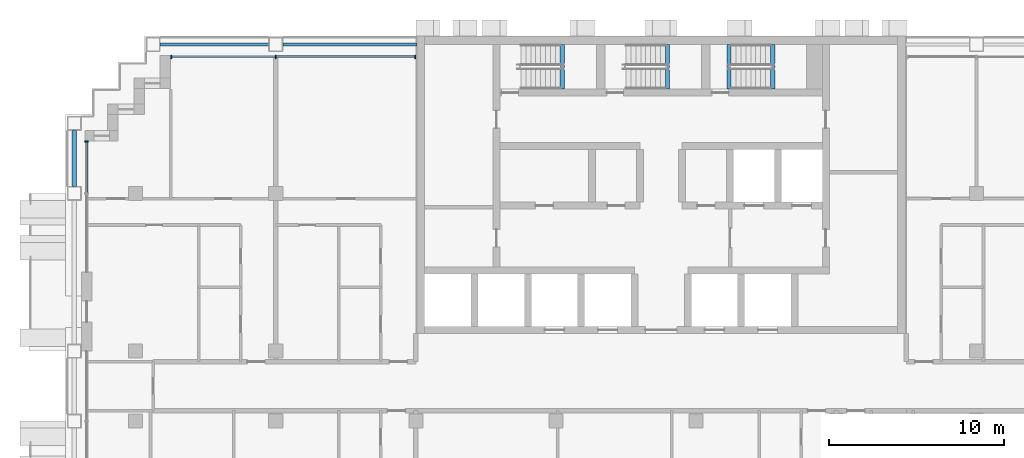
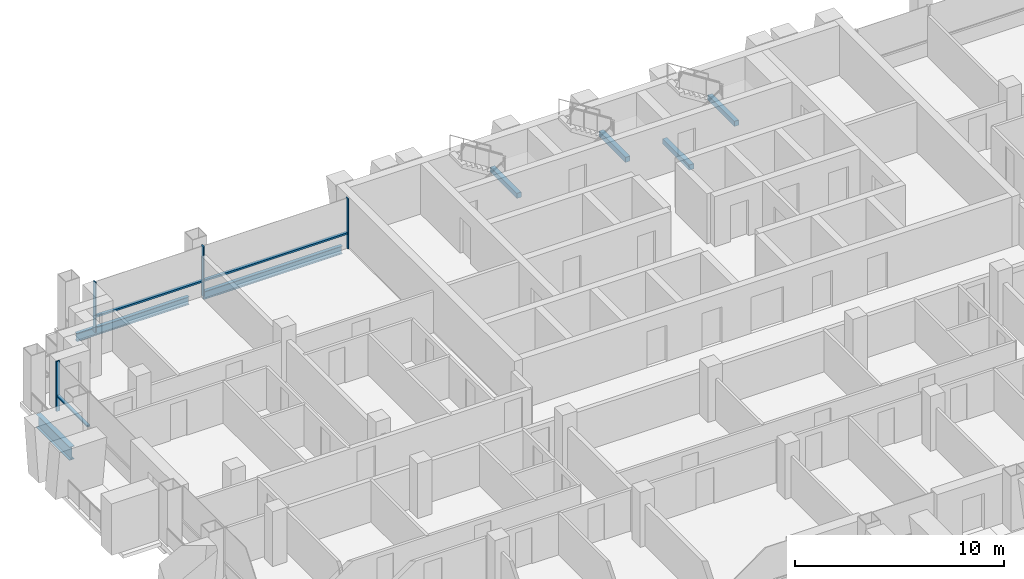
# One storey, part 4 of 17: 7 beams, 7 members, 2 elements without a shape of their own.
"""IFC4 building model written with IfcOpenShell, lengths in metres."""

from ifc_helpers import new_model, si_unit, direction, frame, origin, origin_2d, place, context, subcontext, project, spatial, rectangle, i_section, extrude, material, material_profile, profile_set, type_object, element, aggregate, save


model = new_model("IFC4")

# Units and contexts
model_context = context("Model", 3, precision=1e-05, world=origin(), true_north=direction((0.0, 1.0)))
body_context = subcontext(model_context, "Body", "Model", "MODEL_VIEW")
ifc_project = project(units=[si_unit("LENGTHUNIT", "METRE"), si_unit("AREAUNIT", "SQUARE_METRE"), si_unit("VOLUMEUNIT", "CUBIC_METRE"), si_unit("PLANEANGLEUNIT", "RADIAN"), si_unit("MASSUNIT", "GRAM", prefix="KILO")], contexts=[model_context])

# Site, building, storey
site_placement = place(None, origin())
site = spatial("IfcSite", under=ifc_project, at=site_placement, CompositionType="ELEMENT")
building_placement = place(site_placement, origin())
building = spatial("IfcBuilding", under=site, at=building_placement, Name="Vidyagriha Tower", CompositionType="ELEMENT")
storey_placement = place(building_placement, frame((0.0, 0.0, 139.0)))
storey = spatial("IfcBuildingStorey", under=building, at=storey_placement, Name="L36", CompositionType="ELEMENT", Elevation=139.0)

# Beams
ifc_material_1 = material(Name="Steel ASTM A992 Grade 50", Category="steel")
ifc_material_profile_1 = material_profile(ifc_material_1, i_section(OverallWidth=0.2666015625, OverallDepth=0.76953125, WebThickness=0.015625, FlangeThickness=0.025390625, at=origin_2d()), Name="W30X132")
ifc_profile_set_1 = profile_set([ifc_material_profile_1], Name="Steel ASTM A992 Grade 50")
beam_type_1 = type_object("IfcBeamType", Name="Cantilever edge beam W30X132", PredefinedType="SPANDREL", material=ifc_profile_set_1)
beam_1_placement = place(storey_placement, frame((-33.5, 11.39990234375, -0.664794921875), z_axis=(0.0, 1.0, 0.0), x_axis=(-1.0, 0.0, 0.0)))
element("IfcBeam", 1, at=beam_1_placement, inside=storey, type_object=beam_type_1, Name="st-beam-L36-W13", PredefinedType="SPANDREL", context=body_context, shape_type="SweptSolid", body=[
    extrude(i_section(OverallWidth=0.2666015625, OverallDepth=0.76953125, WebThickness=0.015625, FlangeThickness=0.025390625, at=origin_2d()), origin(), (0.0, 0.0, 1.0), 3.2001953125),
])
ifc_material_2 = material(Name="Steel ASTM A992 Grade 50", Category="steel")
ifc_material_profile_2 = material_profile(ifc_material_2, i_section(OverallWidth=0.19189453125, OverallDepth=0.46240234375, WebThickness=0.010498046875, FlangeThickness=0.017578125, at=origin_2d()), Name="W18X60")
ifc_profile_set_2 = profile_set([ifc_material_profile_2], Name="Steel ASTM A992 Grade 50")
beam_type_2 = type_object("IfcBeamType", Name="Edge beam W18X60", PredefinedType="SPANDREL", material=ifc_profile_set_2)
beam_2_placement = place(storey_placement, frame((-28.60009765625, 19.5, -0.51123046875), z_axis=(1.0, 0.0, 0.0), x_axis=(0.0, 1.0, 0.0)))
element("IfcBeam", 2, at=beam_2_placement, inside=storey, type_object=beam_type_2, Name="st-beam-L36-NW19", PredefinedType="SPANDREL", context=body_context, shape_type="SweptSolid", body=[
    extrude(i_section(OverallWidth=0.19189453125, OverallDepth=0.46240234375, WebThickness=0.010498046875, FlangeThickness=0.017578125, at=origin_2d()), origin(), (0.0, 0.0, 1.0), 6.2001953125),
])
beam_3_placement = place(storey_placement, frame((-21.60009765625, 19.5, -0.51123046875), z_axis=(1.0, 0.0, 0.0), x_axis=(0.0, 1.0, 0.0)))
element("IfcBeam", 3, at=beam_3_placement, inside=storey, type_object=beam_type_2, Name="st-beam-L36-NC22", PredefinedType="SPANDREL", context=body_context, shape_type="SweptSolid", body=[
    extrude(i_section(OverallWidth=0.19189453125, OverallDepth=0.46240234375, WebThickness=0.010498046875, FlangeThickness=0.017578125, at=origin_2d()), origin(), (0.0, 0.0, 1.0), 7.650146484375),
])

# Curtain wall, members
ifc_material_3 = material(Name="Aluminium and glass curtain wall", Category="aluminium")
curtain_wall_type = type_object("IfcCurtainWallType", Name="Dwelling skin unitised curtain wall", PredefinedType="USERDEFINED", material=ifc_material_3)
curtain_wall_1_placement = place(storey_placement, origin())
curtain_wall_1 = element("IfcCurtainWall", 4, at=curtain_wall_1_placement, inside=storey, type_object=curtain_wall_type, Name="CW1 dwelling skin", ObjectType="UNITISED", PredefinedType="USERDEFINED")
ifc_material_4 = material(Name="Aluminium black anodised", Category="aluminium")
ifc_material_profile_3 = material_profile(ifc_material_4, rectangle(XDim=0.199951171875, YDim=0.070068359375, at=origin_2d()), Name="Mullion 70x200 black aluminium")
ifc_profile_set_3 = profile_set([ifc_material_profile_3], Name="Aluminium black anodised")
member_type_1 = type_object("IfcMemberType", Name="Mullion 70x200 black aluminium", PredefinedType="MULLION", material=ifc_profile_set_3)
member_1_placement = place(storey_placement, frame((-14.034912109375, 18.800048828125, 0.0), z_axis=(0.0, 0.0, 1.0), x_axis=(0.0, -1.0, 0.0)))
member_1 = element("IfcMember", 5, at=member_1_placement, type_object=member_type_1, Name="CW1 mullion 1", PredefinedType="MULLION", context=body_context, shape_type="SweptSolid", body=[
    extrude(rectangle(XDim=0.199951171875, YDim=0.070068359375, at=origin_2d()), origin(), (0.0, 0.0, 1.0), 2.919921875),
])
member_2_placement = place(storey_placement, frame((-22.0, 18.800048828125, 0.0), z_axis=(0.0, 0.0, 1.0), x_axis=(0.0, -1.0, 0.0)))
member_2 = element("IfcMember", 6, at=member_2_placement, type_object=member_type_1, Name="CW1 mullion 2", PredefinedType="MULLION", context=body_context, shape_type="SweptSolid", body=[
    extrude(rectangle(XDim=0.199951171875, YDim=0.070068359375, at=origin_2d()), origin(), (0.0, 0.0, 1.0), 2.919921875),
])
member_3_placement = place(storey_placement, frame((-27.965087890625, 18.800048828125, 0.0), z_axis=(0.0, 0.0, 1.0), x_axis=(0.0, -1.0, 0.0)))
member_3 = element("IfcMember", 7, at=member_3_placement, type_object=member_type_1, Name="CW1 mullion 3", PredefinedType="MULLION", context=body_context, shape_type="SweptSolid", body=[
    extrude(rectangle(XDim=0.199951171875, YDim=0.070068359375, at=origin_2d()), origin(), (0.0, 0.0, 1.0), 2.919921875),
])

# Curtain wall, member
curtain_wall_2_placement = place(storey_placement, origin())
curtain_wall_2 = element("IfcCurtainWall", 8, at=curtain_wall_2_placement, inside=storey, type_object=curtain_wall_type, Name="CW1 dwelling skin", ObjectType="UNITISED", PredefinedType="USERDEFINED")
member_4_placement = place(storey_placement, frame((-32.800048828125, 13.965087890625, 0.0)))
member_4 = element("IfcMember", 9, at=member_4_placement, type_object=member_type_1, Name="CW1 mullion 1", PredefinedType="MULLION", context=body_context, shape_type="SweptSolid", body=[
    extrude(rectangle(XDim=0.199951171875, YDim=0.070068359375, at=origin_2d()), origin(), (0.0, 0.0, 1.0), 2.919921875),
])

# Beams
ifc_material_5 = material(Name="Concrete C40/50", Category="concrete")
ifc_material_profile_4 = material_profile(ifc_material_5, rectangle(XDim=0.25, YDim=0.300048828125, at=origin_2d()), Name="Stair landing bearing beam 250x300")
ifc_profile_set_4 = profile_set([ifc_material_profile_4], Name="Concrete C40/50")
beam_type_3 = type_object("IfcBeamType", Name="Stair landing bearing beam 250x300", PredefinedType="BEAM", material=ifc_profile_set_4)
for number, where, z_axis, x_axis, name in (
    (10, (3.875, 16.949951171875, -0.429931640625), (0.0, 1.0, 0.0), (-1.0, 0.0, 0.0), "ST3 floor landing bearing beam L36"),
    (11, (-5.635009765625, 16.949951171875, 1.25), (0.0, 1.0, 0.0), (-1.0, 0.0, 0.0), "ST1 landing bearing beam L36"),
    (12, (0.364990234375, 16.949951171875, 1.25), (0.0, 1.0, 0.0), (-1.0, 0.0, 0.0), "ST2 landing bearing beam L36"),
    (13, (6.364990234375, 16.949951171875, 1.25), (0.0, 1.0, 0.0), (-1.0, 0.0, 0.0), "ST3 landing bearing beam L36"),
):
    element("IfcBeam", number, at=place(storey_placement, frame(where, z_axis=z_axis, x_axis=x_axis)), inside=storey, type_object=beam_type_3, Name=name, PredefinedType="BEAM", context=body_context, shape_type="SweptSolid", body=[
        extrude(rectangle(XDim=0.25, YDim=0.300048828125, at=origin_2d()), origin(), (0.0, 0.0, 1.0), 2.550048828125),
    ])

# Member
ifc_material_6 = material(Name="Aluminium black anodised", Category="aluminium")
ifc_material_profile_5 = material_profile(ifc_material_6, rectangle(XDim=0.159912109375, YDim=0.10009765625, at=origin_2d()), Name="Transom 100x160 black aluminium")
ifc_profile_set_5 = profile_set([ifc_material_profile_5], Name="Aluminium black anodised")
member_type_2 = type_object("IfcMemberType", Name="Transom 100x160 black aluminium", PredefinedType="USERDEFINED", material=ifc_profile_set_5)
member_5_placement = place(storey_placement, frame((-14.070068359375, 18.800048828125, 0.89990234375), z_axis=(-1.0, 0.0, 0.0), x_axis=(0.0, -1.0, 0.0)))
member_5 = element("IfcMember", 14, at=member_5_placement, type_object=member_type_2, Name="CW1 transom 1.1", ObjectType="TRANSOM", PredefinedType="USERDEFINED", context=body_context, shape_type="SweptSolid", body=[
    extrude(rectangle(XDim=0.159912109375, YDim=0.10009765625, at=origin_2d()), origin(), (0.0, 0.0, 1.0), 7.89501953125),
])

member_6_placement = place(storey_placement, frame((-22.034912109375, 18.800048828125, 0.89990234375), z_axis=(-1.0, 0.0, 0.0), x_axis=(0.0, -1.0, 0.0)))
member_6 = element("IfcMember", 15, at=member_6_placement, type_object=member_type_2, Name="CW1 transom 2.1", ObjectType="TRANSOM", PredefinedType="USERDEFINED", context=body_context, shape_type="SweptSolid", body=[
    extrude(rectangle(XDim=0.159912109375, YDim=0.10009765625, at=origin_2d()), origin(), (0.0, 0.0, 1.0), 5.89501953125),
])

aggregate(curtain_wall_1, [member_1, member_2, member_3, member_5, member_6])

member_7_placement = place(storey_placement, frame((-32.800048828125, 13.929931640625, 0.89990234375), z_axis=(0.0, -1.0, 0.0), x_axis=(1.0, 0.0, 0.0)))
member_7 = element("IfcMember", 16, at=member_7_placement, type_object=member_type_2, Name="CW1 transom 1.1", ObjectType="TRANSOM", PredefinedType="USERDEFINED", context=body_context, shape_type="SweptSolid", body=[
    extrude(rectangle(XDim=0.159912109375, YDim=0.10009765625, at=origin_2d()), origin(), (0.0, 0.0, 1.0), 2.89501953125),
])

aggregate(curtain_wall_2, [member_4, member_7])

save(model, "model.ifc")
